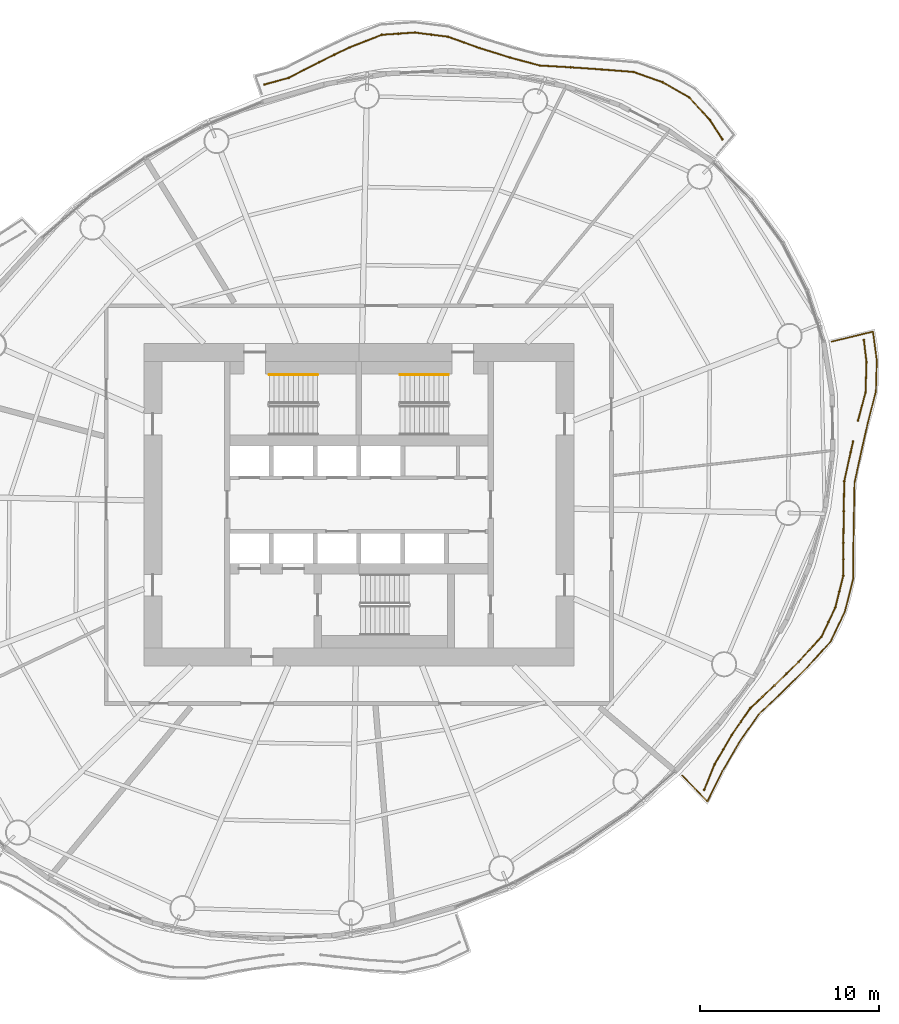
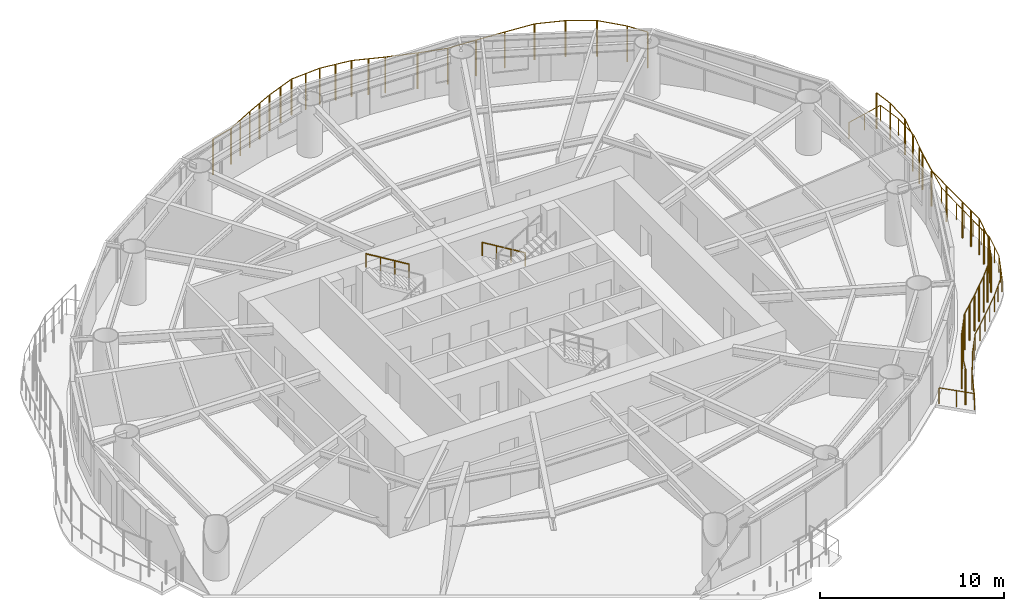
# One storey, part 14 of 15: 6 railings.
"""IFC4 building model written with IfcOpenShell, lengths in metres."""

from ifc_helpers import new_model, si_unit, direction, frame, origin, origin_2d, place, context, subcontext, project, spatial, circle, extrude, material, type_object, element, save


model = new_model("IFC4")

# Units and contexts
model_context = context("Model", 3, precision=1e-05, world=origin(), true_north=direction((0.0, 1.0)))
body_context = subcontext(model_context, "Body", "Model", "MODEL_VIEW")
ifc_project = project(units=[si_unit("LENGTHUNIT", "METRE"), si_unit("AREAUNIT", "SQUARE_METRE"), si_unit("VOLUMEUNIT", "CUBIC_METRE"), si_unit("PLANEANGLEUNIT", "RADIAN"), si_unit("MASSUNIT", "GRAM", prefix="KILO")], contexts=[model_context])

# Site, building, storey
site_placement = place(None, origin())
site = spatial("IfcSite", under=ifc_project, at=site_placement, CompositionType="ELEMENT")
building_placement = place(site_placement, origin())
building = spatial("IfcBuilding", under=site, at=building_placement, Name="Vermilion Reach Broadcast Tower", CompositionType="ELEMENT")
storey_placement = place(building_placement, frame((0.0, 0.0, 161.39990234375)))
storey = spatial("IfcBuildingStorey", under=building, at=storey_placement, Name="L38", CompositionType="ELEMENT", Elevation=161.39990234375)

# Railings
ifc_material_1 = material(Name="Terracotta baguette", Category="masonry")
railing_type_1 = type_object("IfcRailingType", Name="BAGUETTE SCREEN", PredefinedType="USERDEFINED", material=ifc_material_1)
railing_1_placement = place(storey_placement, frame((14.286865234375, 20.396484375, 0.0)))
element("IfcRailing", 1, at=railing_1_placement, inside=storey, type_object=railing_type_1, Name="Baguette screen L38 group 1", ObjectType="BAGUETTE SCREEN", PredefinedType="USERDEFINED", context=body_context, shape_type="SweptSolid", body=[
    extrude(circle(Radius=0.030029296875, at=origin_2d()), frame((0.0, 0.0, 2.369873046875), z_axis=(-0.54182281806, 0.840492732764, 0.0), x_axis=(-0.840492732764, -0.54182281806, 0.0)), (0.0, 0.0, 1.0), 1.26220703125),
    extrude(circle(Radius=0.030029296875, at=origin_2d()), frame((-0.683837890625, 1.060791015625, 2.369873046875), z_axis=(-0.674868671025, 0.737937854341, 0.0), x_axis=(-0.737937854341, -0.674868671025, 0.0)), (0.0, 0.0, 1.0), 1.71875),
    extrude(circle(Radius=0.030029296875, at=origin_2d()), frame((-1.84375, 2.3291015625, 2.369873046875), z_axis=(-0.867085944026, 0.498158574826, 0.0), x_axis=(-0.498158574826, -0.867085944026, 0.0)), (0.0, 0.0, 1.0), 1.71728515625),
    extrude(circle(Radius=0.030029296875, at=origin_2d()), frame((-3.332763671875, 3.1845703125, 2.369873046875), z_axis=(-0.942666440407, 0.333736396173, 0.0), x_axis=(-0.333736396173, -0.942666440407, 0.0)), (0.0, 0.0, 1.0), 1.714111328125),
    extrude(circle(Radius=0.030029296875, at=origin_2d()), frame((-4.948486328125, 3.756591796875, 2.369873046875), z_axis=(-0.996972358651, 0.077756775177, 0.0), x_axis=(-0.077756775177, -0.996972358651, 0.0)), (0.0, 0.0, 1.0), 1.7958984375),
    extrude(circle(Radius=0.030029296875, at=origin_2d()), frame((-6.739013671875, 3.896240234375, 2.369873046875), z_axis=(-0.997617287251, 0.068990928223, 0.0), x_axis=(-0.068990928223, -0.997617287251, 0.0)), (0.0, 0.0, 1.0), 1.73046875),
    extrude(circle(Radius=0.030029296875, at=origin_2d()), frame((-8.46533203125, 4.015625, 2.369873046875), z_axis=(-0.99831597626, 0.058010443411, 0.0), x_axis=(-0.058010443411, -0.99831597626, 0.0)), (0.0, 0.0, 1.0), 1.729736328125),
    extrude(circle(Radius=0.030029296875, at=origin_2d()), frame((-10.192138671875, 4.115966796875, 2.369873046875), z_axis=(-0.96593718543, 0.258776648491, 0.0), x_axis=(-0.258776648491, -0.96593718543, 0.0)), (0.0, 0.0, 1.0), 1.704833984375),
    extrude(circle(Radius=0.030029296875, at=origin_2d()), frame((-11.8388671875, 4.55712890625, 2.369873046875), z_axis=(-0.954763135469, 0.297367374052, 0.0), x_axis=(-0.297367374052, -0.954763135469, 0.0)), (0.0, 0.0, 1.0), 1.792236328125),
    extrude(circle(Radius=0.030029296875, at=origin_2d()), frame((-13.550048828125, 5.090087890625, 2.369873046875), z_axis=(-0.941348020209, 0.337437260611, 0.0), x_axis=(-0.337437260611, -0.941348020209, 0.0)), (0.0, 0.0, 1.0), 1.8681640625),
    extrude(circle(Radius=0.030029296875, at=origin_2d()), frame((-15.30859375, 5.720458984375, 2.369873046875), z_axis=(-0.991957109166, 0.126574458623, 0.0), x_axis=(-0.126574458623, -0.991957109166, 0.0)), (0.0, 0.0, 1.0), 1.869140625),
    extrude(circle(Radius=0.030029296875, at=origin_2d()), frame((-17.16259765625, 5.95703125, 2.369873046875), z_axis=(-0.997649626051, -0.068521701961, 0.0), x_axis=(0.068521701961, -0.997649626051, 0.0)), (0.0, 0.0, 1.0), 1.852783203125),
    extrude(circle(Radius=0.030029296875, at=origin_2d()), frame((-19.010986328125, 5.830078125, 2.369873046875), z_axis=(-0.931012847626, -0.364986407357, 0.0), x_axis=(0.364986407357, -0.931012847626, 0.0)), (0.0, 0.0, 1.0), 1.928466796875),
    extrude(circle(Radius=0.030029296875, at=origin_2d()), frame((-20.806396484375, 5.126220703125, 2.369873046875), z_axis=(-0.900712326006, -0.434416051477, 0.0), x_axis=(0.434416051477, -0.900712326006, 0.0)), (0.0, 0.0, 1.0), 1.90673828125),
    extrude(circle(Radius=0.030029296875, at=origin_2d()), frame((-22.52392578125, 4.2978515625, 2.369873046875), z_axis=(-0.888165126291, -0.459524437262, 0.0), x_axis=(0.459524437262, -0.888165126291, 0.0)), (0.0, 0.0, 1.0), 1.897216796875),
    extrude(circle(Radius=0.030029296875, at=origin_2d()), frame((-24.208984375, 3.426025390625, 2.369873046875), z_axis=(-0.964398185619, -0.264454418708, 0.0), x_axis=(0.264454418708, -0.964398185619, 0.0)), (0.0, 0.0, 1.0), 1.390380859375),
    extrude(circle(Radius=0.050048828125, at=origin_2d()), origin(), (0.0, 0.0, 1.0), 2.33984375),
    extrude(circle(Radius=0.050048828125, at=origin_2d()), frame((-0.683837890625, 1.060791015625, 0.0)), (0.0, 0.0, 1.0), 2.33984375),
    extrude(circle(Radius=0.050048828125, at=origin_2d()), frame((-1.84375, 2.3291015625, 0.0)), (0.0, 0.0, 1.0), 2.33984375),
    extrude(circle(Radius=0.050048828125, at=origin_2d()), frame((-3.332763671875, 3.1845703125, 0.0)), (0.0, 0.0, 1.0), 2.33984375),
    extrude(circle(Radius=0.050048828125, at=origin_2d()), frame((-4.948486328125, 3.756591796875, 0.0)), (0.0, 0.0, 1.0), 2.33984375),
    extrude(circle(Radius=0.050048828125, at=origin_2d()), frame((-6.739013671875, 3.896240234375, 0.0)), (0.0, 0.0, 1.0), 2.33984375),
    extrude(circle(Radius=0.050048828125, at=origin_2d()), frame((-8.46533203125, 4.015625, 0.0)), (0.0, 0.0, 1.0), 2.33984375),
    extrude(circle(Radius=0.050048828125, at=origin_2d()), frame((-10.192138671875, 4.115966796875, 0.0)), (0.0, 0.0, 1.0), 2.33984375),
    extrude(circle(Radius=0.050048828125, at=origin_2d()), frame((-11.8388671875, 4.55712890625, 0.0)), (0.0, 0.0, 1.0), 2.33984375),
    extrude(circle(Radius=0.050048828125, at=origin_2d()), frame((-13.550048828125, 5.090087890625, 0.0)), (0.0, 0.0, 1.0), 2.33984375),
    extrude(circle(Radius=0.050048828125, at=origin_2d()), frame((-14.42919921875, 5.4052734375, 0.0)), (0.0, 0.0, 1.0), 2.33984375),
    extrude(circle(Radius=0.050048828125, at=origin_2d()), frame((-15.30859375, 5.720458984375, 0.0)), (0.0, 0.0, 1.0), 2.33984375),
    extrude(circle(Radius=0.050048828125, at=origin_2d()), frame((-16.235595703125, 5.8388671875, 0.0)), (0.0, 0.0, 1.0), 2.33984375),
    extrude(circle(Radius=0.050048828125, at=origin_2d()), frame((-17.16259765625, 5.95703125, 0.0)), (0.0, 0.0, 1.0), 2.33984375),
    extrude(circle(Radius=0.050048828125, at=origin_2d()), frame((-18.0869140625, 5.8935546875, 0.0)), (0.0, 0.0, 1.0), 2.33984375),
    extrude(circle(Radius=0.050048828125, at=origin_2d()), frame((-19.010986328125, 5.830078125, 0.0)), (0.0, 0.0, 1.0), 2.33984375),
    extrude(circle(Radius=0.050048828125, at=origin_2d()), frame((-19.90869140625, 5.47802734375, 0.0)), (0.0, 0.0, 1.0), 2.33984375),
    extrude(circle(Radius=0.050048828125, at=origin_2d()), frame((-20.806396484375, 5.126220703125, 0.0)), (0.0, 0.0, 1.0), 2.33984375),
    extrude(circle(Radius=0.050048828125, at=origin_2d()), frame((-21.6650390625, 4.7119140625, 0.0)), (0.0, 0.0, 1.0), 2.33984375),
    extrude(circle(Radius=0.050048828125, at=origin_2d()), frame((-22.52392578125, 4.2978515625, 0.0)), (0.0, 0.0, 1.0), 2.33984375),
    extrude(circle(Radius=0.050048828125, at=origin_2d()), frame((-23.366455078125, 3.86181640625, 0.0)), (0.0, 0.0, 1.0), 2.33984375),
    extrude(circle(Radius=0.050048828125, at=origin_2d()), frame((-24.208984375, 3.426025390625, 0.0)), (0.0, 0.0, 1.0), 2.33984375),
    extrude(circle(Radius=0.050048828125, at=origin_2d()), frame((-25.5498046875, 3.058349609375, 0.0)), (0.0, 0.0, 1.0), 2.33984375),
])
railing_2_placement = place(storey_placement, frame((13.275634765625, -15.91357421875, 0.0)))
element("IfcRailing", 2, at=railing_2_placement, inside=storey, type_object=railing_type_1, Name="Baguette screen L38 group 4 part 1", ObjectType="BAGUETTE SCREEN", PredefinedType="USERDEFINED", context=body_context, shape_type="SweptSolid", body=[
    extrude(circle(Radius=0.030029296875, at=origin_2d()), frame((0.0, 0.0, 2.369873046875), z_axis=(0.38069398144, 0.924701082781, 0.0), x_axis=(-0.924701082781, 0.38069398144, 0.0)), (0.0, 0.0, 1.0), 1.539794921875),
    extrude(circle(Radius=0.030029296875, at=origin_2d()), frame((0.586181640625, 1.423828125, 2.369873046875), z_axis=(0.503227415251, 0.864154018992, 0.0), x_axis=(-0.864154018992, 0.503227415251, 0.0)), (0.0, 0.0, 1.0), 1.88720703125),
    extrude(circle(Radius=0.030029296875, at=origin_2d()), frame((1.535888671875, 3.0546875, 2.369873046875), z_axis=(0.57031510572, 0.821426004085, 0.0), x_axis=(-0.821426004085, 0.57031510572, 0.0)), (0.0, 0.0, 1.0), 1.814208984375),
    extrude(circle(Radius=0.030029296875, at=origin_2d()), frame((2.570556640625, 4.544921875, 2.369873046875), z_axis=(0.728026766337, 0.685548705416, 0.0), x_axis=(-0.685548705416, 0.728026766337, 0.0)), (0.0, 0.0, 1.0), 1.862060546875),
    extrude(circle(Radius=0.030029296875, at=origin_2d()), frame((3.92626953125, 5.821533203125, 2.369873046875), z_axis=(0.714581194427, 0.699552511662, 0.0), x_axis=(-0.699552511662, 0.714581194427, 0.0)), (0.0, 0.0, 1.0), 1.8681640625),
    extrude(circle(Radius=0.030029296875, at=origin_2d()), frame((5.26123046875, 7.12841796875, 2.369873046875), z_axis=(0.672806965481, 0.739818077097, 0.0), x_axis=(-0.739818077097, 0.672806965481, 0.0)), (0.0, 0.0, 1.0), 1.90185546875),
    extrude(circle(Radius=0.030029296875, at=origin_2d()), frame((6.540771484375, 8.535400390625, 2.369873046875), z_axis=(0.428790923793, 0.903403754516, 0.0), x_axis=(-0.903403754516, 0.428790923793, 0.0)), (0.0, 0.0, 1.0), 1.81689453125),
    extrude(circle(Radius=0.030029296875, at=origin_2d()), frame((7.31982421875, 10.1767578125, 2.369873046875), z_axis=(0.243634869195, 0.969867027232, 0.0), x_axis=(-0.969867027232, 0.243634869195, 0.0)), (0.0, 0.0, 1.0), 1.828857421875),
    extrude(circle(Radius=0.030029296875, at=origin_2d()), frame((7.765380859375, 11.950439453125, 2.369873046875), z_axis=(0.001601278972, 0.999998717952, 0.0), x_axis=(-0.999998717952, 0.001601278972, 0.0)), (0.0, 0.0, 1.0), 1.82958984375),
    extrude(circle(Radius=0.030029296875, at=origin_2d()), frame((7.768310546875, 13.780029296875, 2.369873046875), z_axis=(0.012030660175, 0.999927628989, 0.0), x_axis=(-0.999927628989, 0.012030660175, 0.0)), (0.0, 0.0, 1.0), 1.765625),
    extrude(circle(Radius=0.030029296875, at=origin_2d()), frame((7.78955078125, 15.54541015625, 2.369873046875), z_axis=(0.016448495083, 0.999864714354, 0.0), x_axis=(-0.999864714354, 0.016448495083, 0.0)), (0.0, 0.0, 1.0), 1.67724609375),
    extrude(circle(Radius=0.030029296875, at=origin_2d()), frame((7.817138671875, 17.222412109375, 2.369873046875), z_axis=(0.216265556489, 0.97633457845, 0.0), x_axis=(-0.97633457845, 0.216265556489, 0.0)), (0.0, 0.0, 1.0), 1.671875),
    extrude(circle(Radius=0.030029296875, at=origin_2d()), frame((8.1787109375, 18.854736328125, 2.369873046875), z_axis=(0.224949774504, 0.974370360259, 0.0), x_axis=(-0.974370360259, 0.224949774504, 0.0)), (0.0, 0.0, 1.0), 0.592529296875),
    extrude(circle(Radius=0.050048828125, at=origin_2d()), origin(), (0.0, 0.0, 1.0), 2.33984375),
    extrude(circle(Radius=0.050048828125, at=origin_2d()), frame((0.586181640625, 1.423828125, 0.0)), (0.0, 0.0, 1.0), 2.33984375),
    extrude(circle(Radius=0.050048828125, at=origin_2d()), frame((1.06103515625, 2.2392578125, 0.0)), (0.0, 0.0, 1.0), 2.33984375),
    extrude(circle(Radius=0.050048828125, at=origin_2d()), frame((1.535888671875, 3.0546875, 0.0)), (0.0, 0.0, 1.0), 2.33984375),
    extrude(circle(Radius=0.050048828125, at=origin_2d()), frame((2.05322265625, 3.7998046875, 0.0)), (0.0, 0.0, 1.0), 2.33984375),
    extrude(circle(Radius=0.050048828125, at=origin_2d()), frame((2.570556640625, 4.544921875, 0.0)), (0.0, 0.0, 1.0), 2.33984375),
    extrude(circle(Radius=0.050048828125, at=origin_2d()), frame((3.24853515625, 5.18310546875, 0.0)), (0.0, 0.0, 1.0), 2.33984375),
    extrude(circle(Radius=0.050048828125, at=origin_2d()), frame((3.92626953125, 5.821533203125, 0.0)), (0.0, 0.0, 1.0), 2.33984375),
    extrude(circle(Radius=0.050048828125, at=origin_2d()), frame((4.59375, 6.47509765625, 0.0)), (0.0, 0.0, 1.0), 2.33984375),
    extrude(circle(Radius=0.050048828125, at=origin_2d()), frame((5.26123046875, 7.12841796875, 0.0)), (0.0, 0.0, 1.0), 2.33984375),
    extrude(circle(Radius=0.050048828125, at=origin_2d()), frame((5.90087890625, 7.83203125, 0.0)), (0.0, 0.0, 1.0), 2.33984375),
    extrude(circle(Radius=0.050048828125, at=origin_2d()), frame((6.540771484375, 8.535400390625, 0.0)), (0.0, 0.0, 1.0), 2.33984375),
    extrude(circle(Radius=0.050048828125, at=origin_2d()), frame((6.93017578125, 9.35595703125, 0.0)), (0.0, 0.0, 1.0), 2.33984375),
    extrude(circle(Radius=0.050048828125, at=origin_2d()), frame((7.31982421875, 10.1767578125, 0.0)), (0.0, 0.0, 1.0), 2.33984375),
    extrude(circle(Radius=0.050048828125, at=origin_2d()), frame((7.54248046875, 11.0634765625, 0.0)), (0.0, 0.0, 1.0), 2.33984375),
    extrude(circle(Radius=0.050048828125, at=origin_2d()), frame((7.765380859375, 11.950439453125, 0.0)), (0.0, 0.0, 1.0), 2.33984375),
    extrude(circle(Radius=0.050048828125, at=origin_2d()), frame((7.766845703125, 12.865234375, 0.0)), (0.0, 0.0, 1.0), 2.33984375),
    extrude(circle(Radius=0.050048828125, at=origin_2d()), frame((7.768310546875, 13.780029296875, 0.0)), (0.0, 0.0, 1.0), 2.33984375),
    extrude(circle(Radius=0.050048828125, at=origin_2d()), frame((7.78955078125, 15.54541015625, 0.0)), (0.0, 0.0, 1.0), 2.33984375),
    extrude(circle(Radius=0.050048828125, at=origin_2d()), frame((7.817138671875, 17.222412109375, 0.0)), (0.0, 0.0, 1.0), 2.33984375),
    extrude(circle(Radius=0.050048828125, at=origin_2d()), frame((8.1787109375, 18.854736328125, 0.0)), (0.0, 0.0, 1.0), 2.33984375),
    extrude(circle(Radius=0.050048828125, at=origin_2d()), frame((8.31201171875, 19.43212890625, 0.0)), (0.0, 0.0, 1.0), 2.33984375),
])
railing_3_placement = place(storey_placement, frame((21.86474609375, 4.69873046875, 0.0)))
element("IfcRailing", 3, at=railing_3_placement, inside=storey, type_object=railing_type_1, Name="Baguette screen L38 group 4 part 2", ObjectType="BAGUETTE SCREEN", PredefinedType="USERDEFINED", context=body_context, shape_type="SweptSolid", body=[
    extrude(circle(Radius=0.030029296875, at=origin_2d()), frame((0.0, 0.0, 2.369873046875), z_axis=(0.257101782895, 0.966384329981, 0.0), x_axis=(-0.966384329981, 0.257101782895, 0.0)), (0.0, 0.0, 1.0), 1.625732421875),
    extrude(circle(Radius=0.030029296875, at=origin_2d()), frame((0.41796875, 1.571044921875, 2.369873046875), z_axis=(0.031469097359, 0.999504725307, 0.0), x_axis=(-0.999504725307, 0.031469097359, 0.0)), (0.0, 0.0, 1.0), 1.691162109375),
    extrude(circle(Radius=0.030029296875, at=origin_2d()), frame((0.47119140625, 3.261474609375, 2.369873046875), z_axis=(-0.120266916208, 0.992741592191, 0.0), x_axis=(-0.992741592191, -0.120266916208, 0.0)), (0.0, 0.0, 1.0), 1.244384765625),
    extrude(circle(Radius=0.050048828125, at=origin_2d()), origin(), (0.0, 0.0, 1.0), 2.33984375),
    extrude(circle(Radius=0.050048828125, at=origin_2d()), frame((0.41796875, 1.571044921875, 0.0)), (0.0, 0.0, 1.0), 2.33984375),
    extrude(circle(Radius=0.050048828125, at=origin_2d()), frame((0.47119140625, 3.261474609375, 0.0)), (0.0, 0.0, 1.0), 2.33984375),
    extrude(circle(Radius=0.050048828125, at=origin_2d()), frame((0.321533203125, 4.496826171875, 0.0)), (0.0, 0.0, 1.0), 2.33984375),
])
ifc_material_2 = material(Name="Stainless steel 316 balustrade", Category="steel")
railing_type_2 = type_object("IfcRailingType", Name="Balcony guard 1100", PredefinedType="BALUSTRADE", material=ifc_material_2)
railing_4_placement = place(storey_placement, frame((12.057373046875, -15.129150390625, 0.0)))
element("IfcRailing", 4, at=railing_4_placement, inside=storey, type_object=railing_type_2, Name="Balcony guard L38 group 4", PredefinedType="BALUSTRADE", context=body_context, shape_type="SweptSolid", body=[
    extrude(circle(Radius=0.02490234375, at=origin_2d()), frame((0.0, 0.0, 1.0751953125), z_axis=(0.695714890472, -0.718318029271, 0.0), x_axis=(0.718318029271, 0.695714890472, 0.0)), (0.0, 0.0, 1.0), 2.009033203125),
    extrude(circle(Radius=0.02490234375, at=origin_2d()), frame((1.397705078125, -1.443115234375, 1.0751953125), z_axis=(0.442226749632, 0.896903284591, 0.0), x_axis=(-0.896903284591, 0.442226749632, 0.0)), (0.0, 0.0, 1.0), 1.882568359375),
    extrude(circle(Radius=0.02490234375, at=origin_2d()), frame((2.230224609375, 0.245361328125, 1.0751953125), z_axis=(0.505996947109, 0.862535268564, 0.0), x_axis=(-0.862535268564, 0.505996947109, 0.0)), (0.0, 0.0, 1.0), 1.91943359375),
    extrude(circle(Radius=0.02490234375, at=origin_2d()), frame((3.201416015625, 1.90087890625, 1.0751953125), z_axis=(0.571064488199, 0.820905201785, 0.0), x_axis=(-0.820905201785, 0.571064488199, 0.0)), (0.0, 0.0, 1.0), 1.846923828125),
    extrude(circle(Radius=0.02490234375, at=origin_2d()), frame((4.256103515625, 3.4169921875, 1.0751953125), z_axis=(0.725475242555, 0.688248263667, 0.0), x_axis=(-0.688248263667, 0.725475242555, 0.0)), (0.0, 0.0, 1.0), 1.895263671875),
    extrude(circle(Radius=0.02490234375, at=origin_2d()), frame((5.631103515625, 4.721435546875, 1.0751953125), z_axis=(0.711523068403, 0.702662737827, 0.0), x_axis=(-0.702662737827, 0.711523068403, 0.0)), (0.0, 0.0, 1.0), 1.9013671875),
    extrude(circle(Radius=0.02490234375, at=origin_2d()), frame((6.98388671875, 6.057373046875, 1.0751953125), z_axis=(0.66938963244, 0.742911515581, 0.0), x_axis=(-0.742911515581, 0.66938963244, 0.0)), (0.0, 0.0, 1.0), 1.93603515625),
    extrude(circle(Radius=0.02490234375, at=origin_2d()), frame((8.27978515625, 7.49560546875, 1.0751953125), z_axis=(0.428505577137, 0.903539136043, 0.0), x_axis=(-0.903539136043, 0.428505577137, 0.0)), (0.0, 0.0, 1.0), 1.852294921875),
    extrude(circle(Radius=0.02490234375, at=origin_2d()), frame((9.073486328125, 9.169189453125, 1.0751953125), z_axis=(0.245859222731, 0.969305546563, 0.0), x_axis=(-0.969305546563, 0.245859222731, 0.0)), (0.0, 0.0, 1.0), 1.865966796875),
    extrude(circle(Radius=0.02490234375, at=origin_2d()), frame((9.5322265625, 10.977783203125, 1.0751953125), z_axis=(0.007461501933, 0.999972162607, 0.0), x_axis=(-0.999972162607, 0.007461501933, 0.0)), (0.0, 0.0, 1.0), 1.864990234375),
    extrude(circle(Radius=0.02490234375, at=origin_2d()), frame((9.546142578125, 12.8427734375, 1.0751953125), z_axis=(0.016781610474, 0.99985917886, 0.0), x_axis=(-0.99985917886, 0.016781610474, 0.0)), (0.0, 0.0, 1.0), 1.803955078125),
    extrude(circle(Radius=0.02490234375, at=origin_2d()), frame((9.576416015625, 14.646484375, 1.0751953125), z_axis=(0.019919200658, 0.99980159304, 0.0), x_axis=(-0.99980159304, 0.019919200658, 0.0)), (0.0, 0.0, 1.0), 1.7158203125),
    extrude(circle(Radius=0.02490234375, at=origin_2d()), frame((9.610595703125, 16.362060546875, 1.0751953125), z_axis=(0.213246240793, 0.97699848556, 0.0), x_axis=(-0.97699848556, 0.213246240793, 0.0)), (0.0, 0.0, 1.0), 1.712646484375),
    extrude(circle(Radius=0.02490234375, at=origin_2d()), frame((9.975830078125, 18.035400390625, 1.0751953125), z_axis=(0.220383299381, 0.975413348973, 0.0), x_axis=(-0.975413348973, 0.220383299381, 0.0)), (0.0, 0.0, 1.0), 1.7138671875),
    extrude(circle(Radius=0.02490234375, at=origin_2d()), frame((10.353515625, 19.70703125, 1.0751953125), z_axis=(0.250034018042, 0.968237052494, 0.0), x_axis=(-0.968237052494, 0.250034018042, 0.0)), (0.0, 0.0, 1.0), 1.798583984375),
    extrude(circle(Radius=0.02490234375, at=origin_2d()), frame((10.80322265625, 21.448486328125, 1.0751953125), z_axis=(0.027595121084, 0.999619182135, 0.0), x_axis=(-0.999619182135, 0.027595121084, 0.0)), (0.0, 0.0, 1.0), 1.734130859375),
    extrude(circle(Radius=0.02490234375, at=origin_2d()), frame((10.85107421875, 23.181884765625, 1.0751953125), z_axis=(-0.13030626035, 0.991473791138, 0.0), x_axis=(-0.991473791138, -0.13030626035, 0.0)), (0.0, 0.0, 1.0), 1.618896484375),
    extrude(circle(Radius=0.02490234375, at=origin_2d()), frame((10.64013671875, 24.786865234375, 1.0751953125), z_axis=(-0.971945854055, -0.235204712508, 0.0), x_axis=(0.235204712508, -0.971945854055, 0.0)), (0.0, 0.0, 1.0), 2.36865234375),
    extrude(circle(Radius=0.02490234375, at=origin_2d()), origin(), (0.0, 0.0, 1.0), 1.050048828125),
    extrude(circle(Radius=0.02490234375, at=origin_2d()), frame((0.69873046875, -0.7216796875, 0.0)), (0.0, 0.0, 1.0), 1.050048828125),
    extrude(circle(Radius=0.02490234375, at=origin_2d()), frame((1.397705078125, -1.443115234375, 0.0)), (0.0, 0.0, 1.0), 1.050048828125),
    extrude(circle(Radius=0.02490234375, at=origin_2d()), frame((1.81396484375, -0.598876953125, 0.0)), (0.0, 0.0, 1.0), 1.050048828125),
    extrude(circle(Radius=0.02490234375, at=origin_2d()), frame((2.230224609375, 0.245361328125, 0.0)), (0.0, 0.0, 1.0), 1.050048828125),
    extrude(circle(Radius=0.02490234375, at=origin_2d()), frame((2.7158203125, 1.0732421875, 0.0)), (0.0, 0.0, 1.0), 1.050048828125),
    extrude(circle(Radius=0.02490234375, at=origin_2d()), frame((3.201416015625, 1.90087890625, 0.0)), (0.0, 0.0, 1.0), 1.050048828125),
    extrude(circle(Radius=0.02490234375, at=origin_2d()), frame((3.728759765625, 2.658935546875, 0.0)), (0.0, 0.0, 1.0), 1.050048828125),
    extrude(circle(Radius=0.02490234375, at=origin_2d()), frame((4.256103515625, 3.4169921875, 0.0)), (0.0, 0.0, 1.0), 1.050048828125),
    extrude(circle(Radius=0.02490234375, at=origin_2d()), frame((4.943603515625, 4.0693359375, 0.0)), (0.0, 0.0, 1.0), 1.050048828125),
    extrude(circle(Radius=0.02490234375, at=origin_2d()), frame((5.631103515625, 4.721435546875, 0.0)), (0.0, 0.0, 1.0), 1.050048828125),
    extrude(circle(Radius=0.02490234375, at=origin_2d()), frame((6.3076171875, 5.389404296875, 0.0)), (0.0, 0.0, 1.0), 1.050048828125),
    extrude(circle(Radius=0.02490234375, at=origin_2d()), frame((6.98388671875, 6.057373046875, 0.0)), (0.0, 0.0, 1.0), 1.050048828125),
    extrude(circle(Radius=0.02490234375, at=origin_2d()), frame((7.6318359375, 6.7763671875, 0.0)), (0.0, 0.0, 1.0), 1.050048828125),
    extrude(circle(Radius=0.02490234375, at=origin_2d()), frame((8.27978515625, 7.49560546875, 0.0)), (0.0, 0.0, 1.0), 1.050048828125),
    extrude(circle(Radius=0.02490234375, at=origin_2d()), frame((8.6767578125, 8.33251953125, 0.0)), (0.0, 0.0, 1.0), 1.050048828125),
    extrude(circle(Radius=0.02490234375, at=origin_2d()), frame((9.073486328125, 9.169189453125, 0.0)), (0.0, 0.0, 1.0), 1.050048828125),
    extrude(circle(Radius=0.02490234375, at=origin_2d()), frame((9.302734375, 10.073486328125, 0.0)), (0.0, 0.0, 1.0), 1.050048828125),
    extrude(circle(Radius=0.02490234375, at=origin_2d()), frame((9.5322265625, 10.977783203125, 0.0)), (0.0, 0.0, 1.0), 1.050048828125),
    extrude(circle(Radius=0.02490234375, at=origin_2d()), frame((9.5390625, 11.91015625, 0.0)), (0.0, 0.0, 1.0), 1.050048828125),
    extrude(circle(Radius=0.02490234375, at=origin_2d()), frame((9.546142578125, 12.8427734375, 0.0)), (0.0, 0.0, 1.0), 1.050048828125),
    extrude(circle(Radius=0.02490234375, at=origin_2d()), frame((9.561279296875, 13.74462890625, 0.0)), (0.0, 0.0, 1.0), 1.050048828125),
    extrude(circle(Radius=0.02490234375, at=origin_2d()), frame((9.576416015625, 14.646484375, 0.0)), (0.0, 0.0, 1.0), 1.050048828125),
    extrude(circle(Radius=0.02490234375, at=origin_2d()), frame((9.610595703125, 16.362060546875, 0.0)), (0.0, 0.0, 1.0), 1.050048828125),
    extrude(circle(Radius=0.02490234375, at=origin_2d()), frame((9.975830078125, 18.035400390625, 0.0)), (0.0, 0.0, 1.0), 1.050048828125),
    extrude(circle(Radius=0.02490234375, at=origin_2d()), frame((10.353515625, 19.70703125, 0.0)), (0.0, 0.0, 1.0), 1.050048828125),
    extrude(circle(Radius=0.02490234375, at=origin_2d()), frame((10.80322265625, 21.448486328125, 0.0)), (0.0, 0.0, 1.0), 1.050048828125),
    extrude(circle(Radius=0.02490234375, at=origin_2d()), frame((10.85107421875, 23.181884765625, 0.0)), (0.0, 0.0, 1.0), 1.050048828125),
    extrude(circle(Radius=0.02490234375, at=origin_2d()), frame((10.64013671875, 24.786865234375, 0.0)), (0.0, 0.0, 1.0), 1.050048828125),
    extrude(circle(Radius=0.02490234375, at=origin_2d()), frame((9.489013671875, 24.50830078125, 0.0)), (0.0, 0.0, 1.0), 1.050048828125),
    extrude(circle(Radius=0.02490234375, at=origin_2d()), frame((8.337890625, 24.229736328125, 0.0)), (0.0, 0.0, 1.0), 1.050048828125),
])
ifc_material_3 = material(Name="Stainless steel", Category="steel")
railing_type_3 = type_object("IfcRailingType", Name="Stair handrail", PredefinedType="HANDRAIL", material=ifc_material_3)
railing_5_placement = place(storey_placement, frame((-8.300048828125, 7.25, 1.963623046875)))
element("IfcRailing", 5, at=railing_5_placement, inside=storey, type_object=railing_type_3, Name="L38 ST1 stair handrail 2", PredefinedType="HANDRAIL", context=body_context, shape_type="SweptSolid", body=[
    extrude(circle(Radius=0.02392578125, at=origin_2d()), frame((0.0, 0.0, 0.8759765625), z_axis=(-0.855178096276, 0.0, 0.518334277904), x_axis=(0.0, -1.0, 0.0)), (0.0, 0.0, 1.0), 3.1572265625),
    extrude(circle(Radius=0.02099609375, at=origin_2d()), origin(), (0.0, 0.0, 1.0), 0.851806640625),
    extrude(circle(Radius=0.02099609375, at=origin_2d()), frame((-0.89990234375, 0.0, 0.54541015625)), (0.0, 0.0, 1.0), 0.851806640625),
    extrude(circle(Radius=0.02099609375, at=origin_2d()), frame((-1.800048828125, 0.0, 1.091064453125)), (0.0, 0.0, 1.0), 0.851806640625),
    extrude(circle(Radius=0.02099609375, at=origin_2d()), frame((-2.699951171875, 0.0, 1.636474609375)), (0.0, 0.0, 1.0), 0.851806640625),
])
railing_6_placement = place(storey_placement, frame((-1.0, 7.25, 0.163818359375)))
element("IfcRailing", 6, at=railing_6_placement, inside=storey, type_object=railing_type_3, Name="L38 ST2 stair handrail 1", PredefinedType="HANDRAIL", context=body_context, shape_type="SweptSolid", body=[
    extrude(circle(Radius=0.02392578125, at=origin_2d()), frame((0.0, 0.0, 0.8759765625), z_axis=(-0.855212373127, 0.0, 0.518277721738), x_axis=(0.0, -1.0, 0.0)), (0.0, 0.0, 1.0), 3.156982421875),
    extrude(circle(Radius=0.02099609375, at=origin_2d()), origin(), (0.0, 0.0, 1.0), 0.851806640625),
    extrude(circle(Radius=0.02099609375, at=origin_2d()), frame((-0.89990234375, 0.0, 0.54541015625)), (0.0, 0.0, 1.0), 0.851806640625),
    extrude(circle(Radius=0.02099609375, at=origin_2d()), frame((-1.800048828125, 0.0, 1.0908203125)), (0.0, 0.0, 1.0), 0.851806640625),
    extrude(circle(Radius=0.02099609375, at=origin_2d()), frame((-2.699951171875, 0.0, 1.63623046875)), (0.0, 0.0, 1.0), 0.851806640625),
])

save(model, "model.ifc")
